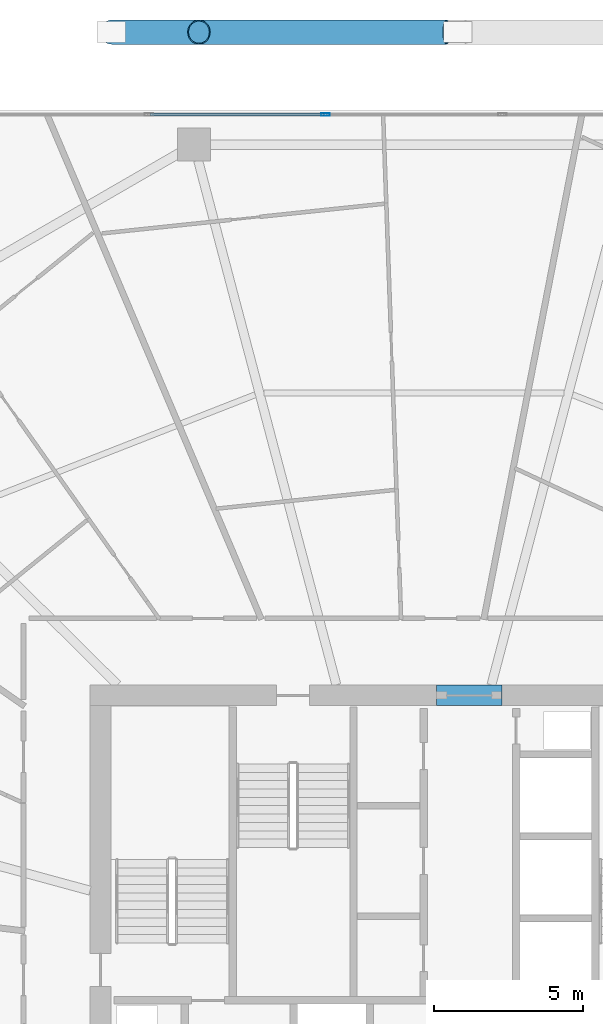
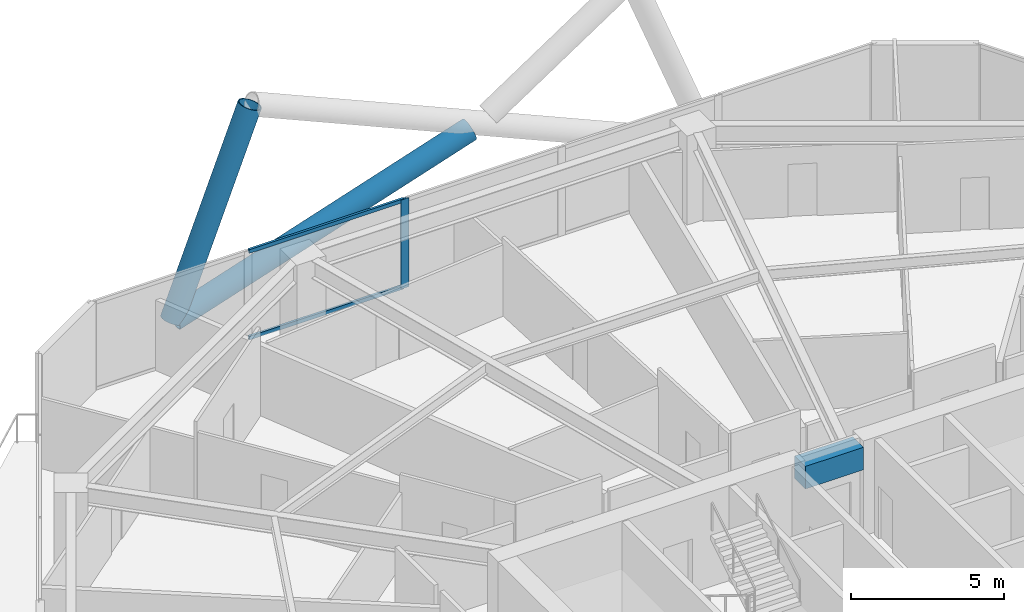
# One storey, part 20 of 36: 5 members, 1 beam, 1 element without a shape of its own.
"""IFC4 building model written with IfcOpenShell, lengths in metres."""

import ifcopenshell
import ifcopenshell.guid

model = None  # the IFC model being written
_history = None  # IfcOwnerHistory: only IFC2X3 demands one
_inside = {}  # id of a spatial element -> (the spatial element, [elements in it])
_under = {}  # id of a project, library or spatial element -> (it, [spatial elements below it])
_declared = {}  # id of a project -> (the project, [libraries it declares])
_typed = {}  # id of a type object -> (the type object, [elements of that type])
_made_of = {}  # id of a material, layer set ... -> (it, [elements and type objects made of it])


def new_model(schema):
    """Start an empty IFC model of exactly this schema.

    Asked for "IFC4X3", IfcOpenShell would pick the latest addendum, in which some entities
    have other attributes; the version numbers below select the first issue.
    IFC2X3 requires an IfcOwnerHistory on every rooted entity: one is made here for all.
    """
    global model, _history
    if schema == "IFC4X3":
        model = ifcopenshell.file(schema_version=(4, 3, 0, 0))
    else:
        model = ifcopenshell.file(schema=schema)
    _inside.clear()
    _under.clear()
    _declared.clear()
    _typed.clear()
    _made_of.clear()
    _history = None
    if model.schema == "IFC2X3":
        org = make("IfcOrganization", Name="unknown")
        user = make(
            "IfcPersonAndOrganization",
            ThePerson=make("IfcPerson", FamilyName="unknown"),
            TheOrganization=org,
        )
        app = make(
            "IfcApplication",
            ApplicationDeveloper=org,
            Version="unknown",
            ApplicationFullName="unknown",
            ApplicationIdentifier="unknown",
        )
        _history = make(
            "IfcOwnerHistory",
            OwningUser=user,
            OwningApplication=app,
            ChangeAction="ADDED",
            CreationDate=0,
        )
    return model


def make(cls, **values):
    """One entity of the class cls with the attributes given. An attribute that is None is left unset."""
    return model.create_entity(
        cls, **{name: value for name, value in values.items() if value is not None}
    )


def rooted(cls, **values):
    """An entity with a GlobalId (a new one), such as an element, a storey or a relation."""
    return make(cls, GlobalId=ifcopenshell.guid.new(), OwnerHistory=_history, **values)


def si_unit(unit_type, name, prefix=None):
    """IfcSIUnit, for example si_unit("LENGTHUNIT", "METRE", prefix="MILLI")."""
    return make("IfcSIUnit", UnitType=unit_type, Prefix=prefix, Name=name)


def assignment(units):
    """IfcUnitAssignment: the units of a project."""
    return None if units is None else make("IfcUnitAssignment", Units=units)


def point(xyz):
    """IfcCartesianPoint."""
    return None if xyz is None else make("IfcCartesianPoint", Coordinates=xyz)


def direction(xyz):
    """IfcDirection."""
    return None if xyz is None else make("IfcDirection", DirectionRatios=xyz)


def frame(location, z_axis=None, x_axis=None):
    """IfcAxis2Placement3D, a coordinate frame: its origin and axes. An axis left out is left unset."""
    return make(
        "IfcAxis2Placement3D",
        Location=point(location),
        Axis=direction(z_axis),
        RefDirection=direction(x_axis),
    )


def frame_2d(location, x_axis=None):
    """IfcAxis2Placement2D, a coordinate frame in the plane: its origin and x axis."""
    return make(
        "IfcAxis2Placement2D", Location=point(location), RefDirection=direction(x_axis)
    )


def origin():
    """The frame at (0, 0, 0) with its axes left unset."""
    return frame((0.0, 0.0, 0.0))


def origin_2d():
    """The frame at (0, 0) in the plane with its x axis left unset."""
    return frame_2d((0.0, 0.0))


def place(relative_to, where):
    """IfcLocalPlacement: puts the frame where relative to a parent placement (None: the world)."""
    return make(
        "IfcLocalPlacement", PlacementRelTo=relative_to, RelativePlacement=where
    )


def context(
    kind, dimensions, precision=None, world=None, true_north=None, identifier=None
):
    """IfcGeometricRepresentationContext, for example the 3D "Model" context."""
    return make(
        "IfcGeometricRepresentationContext",
        ContextIdentifier=identifier,
        ContextType=kind,
        CoordinateSpaceDimension=dimensions,
        Precision=precision,
        WorldCoordinateSystem=world,
        TrueNorth=true_north,
    )


def subcontext(parent, identifier, kind, view, scale=None):
    """IfcGeometricRepresentationSubContext, for example "Body" below "Model"."""
    return make(
        "IfcGeometricRepresentationSubContext",
        ContextIdentifier=identifier,
        ContextType=kind,
        ParentContext=parent,
        TargetScale=scale,
        TargetView=view,
    )


def project(units=None, contexts=None):
    """IfcProject with its units and contexts."""
    return rooted(
        "IfcProject",
        Name="project",
        RepresentationContexts=contexts,
        UnitsInContext=assignment(units),
    )


def spatial(cls, under=None, at=None, **own):
    """A site, building, storey or space (cls), placed at a placement, below another one or the project."""
    s = rooted(cls, ObjectPlacement=at, **own)
    if under is not None:
        _under.setdefault(under.id(), (under, []))[1].append(s)
    return s


def profile(cls, at=None, kind="AREA", **sizes):
    """A parametric profile (cls). Its sizes go by their IFC names, for example OverallWidth=200.0."""
    return make(cls, ProfileType=kind, Position=at, **sizes)


def rectangle(**sizes):
    """IfcRectangleProfileDef."""
    return profile("IfcRectangleProfileDef", **sizes)


def hollow_rectangle(**sizes):
    """IfcRectangleHollowProfileDef."""
    return profile("IfcRectangleHollowProfileDef", **sizes)


def hollow_circle(**sizes):
    """IfcCircleHollowProfileDef."""
    return profile("IfcCircleHollowProfileDef", **sizes)


def extrude(swept, where, along, depth):
    """IfcExtrudedAreaSolid: the profile swept, set in the frame where, extruded along a direction by depth."""
    return make(
        "IfcExtrudedAreaSolid",
        SweptArea=swept,
        Position=where,
        ExtrudedDirection=direction(along),
        Depth=depth,
    )


def shape(context_of_items, identifier, shape_type, items):
    """IfcShapeRepresentation: the items that make up one representation, for example the "Body"."""
    return make(
        "IfcShapeRepresentation",
        ContextOfItems=context_of_items,
        RepresentationIdentifier=identifier,
        RepresentationType=shape_type,
        Items=items,
    )


def material(Name=None, Category=None):
    """IfcMaterial."""
    return make("IfcMaterial", Name=Name, Category=Category)


def material_profile(
    of_material, cross_section, Name=None, Category=None, Priority=None
):
    """IfcMaterialProfile: a cross section and its material."""
    return make(
        "IfcMaterialProfile",
        Name=Name,
        Material=of_material,
        Profile=cross_section,
        Priority=Priority,
        Category=Category,
    )


def profile_set(profiles, Name=None, composite=None):
    """IfcMaterialProfileSet."""
    return make(
        "IfcMaterialProfileSet",
        Name=Name,
        MaterialProfiles=profiles,
        CompositeProfile=composite,
    )


def made_of(thing, what):
    """Note that an element or type object is made of a material, layer set ...; save() writes the relation."""
    if what is not None:
        _made_of.setdefault(what.id(), (what, []))[1].append(thing)
    return thing


def type_object(cls, material=None, **own):
    """A type object (cls), such as IfcWallType, which elements share."""
    return made_of(rooted(cls, **own), material)


def element(
    cls,
    number,
    at=None,
    inside=None,
    cuts=None,
    type_object=None,
    material=None,
    context=None,
    identifier="Body",
    shape_type=None,
    held_by="IfcProductDefinitionShape",
    body=None,
    shapes=None,
    **own,
):
    """One element of the class cls, such as IfcWall. Its Tag is "e" and its number.

    at: its placement. inside: the storey or other place that contains it. cuts: it is an
    opening in that element (IfcRelVoidsElement). A single representation is given by context,
    identifier, shape_type and body (its items); several are given by shapes. held_by: the class
    of the entity that holds the representations. save() writes the other relations.
    """
    e = rooted(cls, Tag="e%d" % number, ObjectPlacement=at, **own)
    if body is not None:
        shapes = [shape(context, identifier, shape_type, body)]
    if shapes is not None:
        e.Representation = make(held_by, Representations=shapes)
    if inside is not None:
        _inside.setdefault(inside.id(), (inside, []))[1].append(e)
    if cuts is not None:
        rooted(
            "IfcRelVoidsElement", RelatingBuildingElement=cuts, RelatedOpeningElement=e
        )
    if type_object is not None:
        _typed.setdefault(type_object.id(), (type_object, []))[1].append(e)
    return made_of(e, material)


def aggregate(whole, parts):
    """IfcRelAggregates: a whole, such as a stair, and the parts it consists of."""
    return rooted("IfcRelAggregates", RelatingObject=whole, RelatedObjects=parts)


def save(model, path):
    """Write the relations noted so far, then the file.

    IfcRelAggregates (storeys below a building ...), IfcRelContainedInSpatialStructure (elements
    in a storey), IfcRelDefinesByType, IfcRelAssociatesMaterial and IfcRelDeclares: one each for
    every whole, place, type object, material and project.
    """
    for whole, parts in _under.values():
        aggregate(whole, parts)
    for where, things in _inside.values():
        rooted(
            "IfcRelContainedInSpatialStructure",
            RelatedElements=things,
            RelatingStructure=where,
        )
    for kind, things in _typed.values():
        rooted("IfcRelDefinesByType", RelatedObjects=things, RelatingType=kind)
    for what, things in _made_of.values():
        rooted("IfcRelAssociatesMaterial", RelatedObjects=things, RelatingMaterial=what)
    for by, libraries in _declared.values():
        rooted("IfcRelDeclares", RelatingContext=by, RelatedDefinitions=libraries)
    model.write(path)


model = new_model("IFC4")

# Units and contexts
model_context = context("Model", 3, precision=1e-05, world=origin(), true_north=direction((0.0, 1.0)))
body_context = subcontext(model_context, "Body", "Model", "MODEL_VIEW")
ifc_project = project(units=[si_unit("LENGTHUNIT", "METRE"), si_unit("AREAUNIT", "SQUARE_METRE"), si_unit("VOLUMEUNIT", "CUBIC_METRE"), si_unit("PLANEANGLEUNIT", "RADIAN"), si_unit("MASSUNIT", "GRAM", prefix="KILO")], contexts=[model_context])

# Site, building, storey
site_placement = place(None, origin())
site = spatial("IfcSite", under=ifc_project, at=site_placement, CompositionType="ELEMENT")
building_placement = place(site_placement, origin())
building = spatial("IfcBuilding", under=site, at=building_placement, Name="Zuhravey Tower", CompositionType="ELEMENT")
storey_placement = place(building_placement, frame((0.0, 0.0, 107.60009765625)))
storey = spatial("IfcBuildingStorey", under=building, at=storey_placement, Name="L26", CompositionType="ELEMENT", Elevation=107.60009765625)

# Beam
ifc_material_1 = material(Name="Concrete C60/75", Category="concrete")
ifc_material_profile_1 = material_profile(ifc_material_1, rectangle(XDim=0.699951171875, YDim=0.89990234375, at=origin_2d()), Name="RC-700x900")
ifc_profile_set_1 = profile_set([ifc_material_profile_1], Name="Concrete C60/75")
beam_type = type_object("IfcBeamType", Name="Core Coupling Beam RC700x900", PredefinedType="LINTEL", material=ifc_profile_set_1)
beam_placement = place(storey_placement, frame((36.751953125, 41.5, 3.099853515625), z_axis=(1.0, 0.0, 0.0), x_axis=(0.0, 1.0, 0.0)))
element("IfcBeam", 1, at=beam_placement, inside=storey, type_object=beam_type, Name="L26 CB1 BM-L26-CB-N", PredefinedType="LINTEL", context=body_context, shape_type="SweptSolid", body=[
    extrude(rectangle(XDim=0.699951171875, YDim=0.89990234375, at=origin_2d()), origin(), (0.0, 0.0, 1.0), 2.196044921875),
])

# Curtain wall, members
ifc_material_2 = material(Name="Thermally broken anodised aluminium", Category="aluminium")
curtain_wall_type = type_object("IfcCurtainWallType", Name="Zone 1-2 Residential Curtain Wall CW3", PredefinedType="NOTDEFINED", material=ifc_material_2)
curtain_wall_placement = place(storey_placement, origin())
curtain_wall = element("IfcCurtainWall", 2, at=curtain_wall_placement, inside=storey, type_object=curtain_wall_type, Name="L26 CW3 CW-L26-F2-1", PredefinedType="NOTDEFINED")
ifc_material_3 = material(Name="Anodised aluminium", Category="aluminium")
ifc_material_profile_2 = material_profile(ifc_material_3, hollow_rectangle(XDim=0.090087890625, YDim=0.284912109375, WallThickness=0.0048828125, at=origin_2d()), Name="ALU-RHS-90x285x5")
ifc_profile_set_2 = profile_set([ifc_material_profile_2], Name="Anodised aluminium")
member_type_1 = type_object("IfcMemberType", Name="Curtain-Wall Mullion 90x180", PredefinedType="MULLION", material=ifc_profile_set_2)
member_1_placement = place(storey_placement, frame((33.0400390625, 60.95849609375, 0.0), z_axis=(0.0, 0.0, 1.0), x_axis=(0.0, 1.0, 0.0)))
member_1 = element("IfcMember", 3, at=member_1_placement, type_object=member_type_1, Name="CW3 mullion 3", PredefinedType="MULLION", context=body_context, shape_type="SweptSolid", body=[
    extrude(hollow_rectangle(XDim=0.090087890625, YDim=0.284912109375, WallThickness=0.0048828125, at=origin_2d()), origin(), (0.0, 0.0, 1.0), 3.5498046875),
])
ifc_material_profile_3 = material_profile(ifc_material_3, hollow_rectangle(XDim=0.090087890625, YDim=0.14990234375, WallThickness=0.0048828125, at=origin_2d()), Name="ALU-RHS-90x150x5")
ifc_profile_set_3 = profile_set([ifc_material_profile_3], Name="Anodised aluminium")
member_type_2 = type_object("IfcMemberType", Name="Curtain-Wall Transom 90x150", PredefinedType="USERDEFINED", material=ifc_profile_set_3)
member_2_placement = place(storey_placement, frame((27.165283203125, 60.95849609375, 0.044921875), z_axis=(1.0, 0.0, 0.0), x_axis=(0.0, 1.0, 0.0)))
member_2 = element("IfcMember", 4, at=member_2_placement, type_object=member_type_2, Name="CW3 transom 2.1", ObjectType="TRANSOM", PredefinedType="USERDEFINED", context=body_context, shape_type="SweptSolid", body=[
    extrude(hollow_rectangle(XDim=0.090087890625, YDim=0.14990234375, WallThickness=0.0048828125, at=origin_2d()), origin(), (0.0, 0.0, 1.0), 5.829833984375),
])
member_3_placement = place(storey_placement, frame((27.165283203125, 60.95849609375, 3.5048828125), z_axis=(1.0, 0.0, 0.0), x_axis=(0.0, 1.0, 0.0)))
member_3 = element("IfcMember", 5, at=member_3_placement, type_object=member_type_2, Name="CW3 transom 2.2", ObjectType="TRANSOM", PredefinedType="USERDEFINED", context=body_context, shape_type="SweptSolid", body=[
    extrude(hollow_rectangle(XDim=0.090087890625, YDim=0.14990234375, WallThickness=0.0048828125, at=origin_2d()), origin(), (0.0, 0.0, 1.0), 5.829833984375),
])
aggregate(curtain_wall, [member_1, member_2, member_3])

# Members
ifc_material_4 = material(Name="Steel SM460", Category="steel")
ifc_material_profile_4 = material_profile(ifc_material_4, hollow_circle(Radius=0.406494140625, WallThickness=0.035888671875, at=origin_2d()), Name="CHS-812.8x36")
ifc_profile_set_4 = profile_set([ifc_material_profile_4], Name="Steel SM460")
member_type_3 = type_object("IfcMemberType", Name="Exoskeleton Zone 1 Diagrid CHS813x36", PredefinedType="BRACE", material=ifc_profile_set_4)
member_4_placement = place(storey_placement, frame((25.871826171875, 63.718505859375, -0.442138671875), z_axis=(0.361082010656, 0.0, 0.932534064569), x_axis=(0.0, 1.0, 0.0)))
element("IfcMember", 6, at=member_4_placement, inside=storey, type_object=member_type_3, Name="L26 Face 2 Diagrid Brace 4", PredefinedType="BRACE", context=body_context, shape_type="SweptSolid", body=[
    extrude(hollow_circle(Radius=0.406494140625, WallThickness=0.035888671875, at=origin_2d()), origin(), (0.0, 0.0, 1.0), 8.102783203125),
])
member_5_placement = place(storey_placement, frame((25.915283203125, 63.718505859375, -0.447021484375), z_axis=(0.950373477591, 0.0, 0.311111319453), x_axis=(0.0, 1.0, 0.0)))
element("IfcMember", 7, at=member_5_placement, inside=storey, type_object=member_type_3, Name="L26 Face 2 Split Diagrid Brace 3A", PredefinedType="BRACE", context=body_context, shape_type="SweptSolid", body=[
    extrude(hollow_circle(Radius=0.406494140625, WallThickness=0.035888671875, at=origin_2d()), origin(), (0.0, 0.0, 1.0), 11.76318359375),
])

save(model, "model.ifc")
